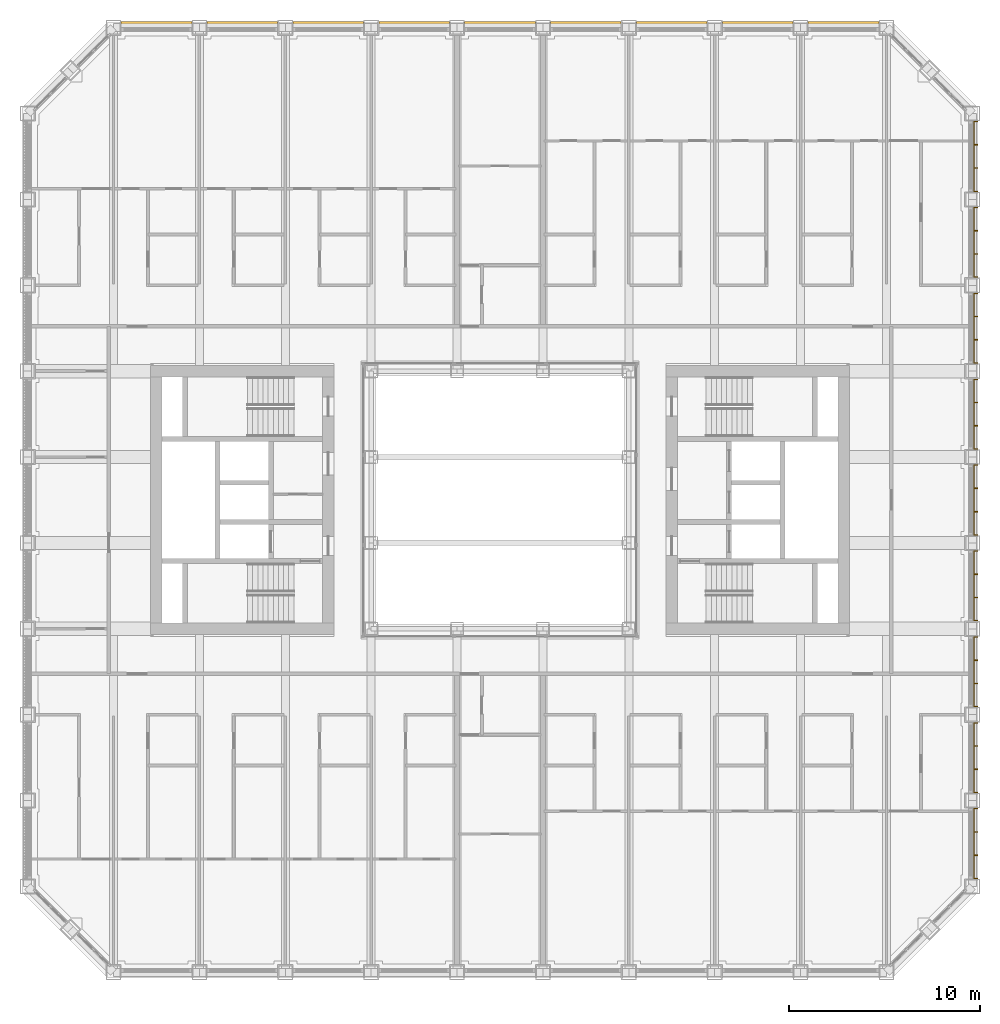
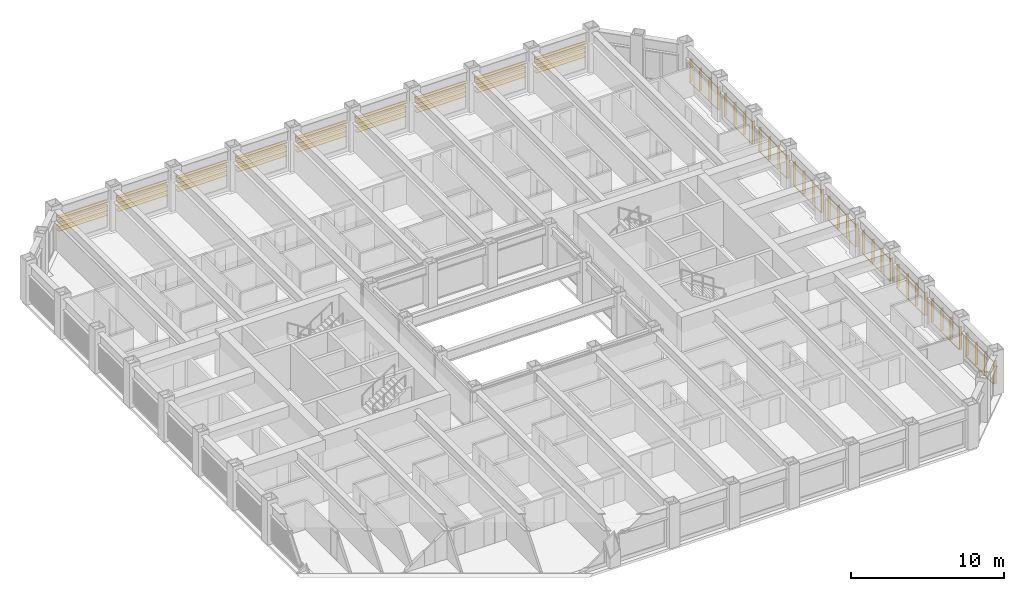
# One storey, part 21 of 21: 2 shading devices.
"""IFC4 building model written with IfcOpenShell, lengths in metres."""

from ifc_helpers import new_model, si_unit, direction, frame, origin, origin_2d, place, context, subcontext, project, spatial, rectangle, extrude, material, type_object, element, save


model = new_model("IFC4")

# Units and contexts
model_context = context("Model", 3, precision=1e-05, world=origin(), true_north=direction((0.0, 1.0)))
body_context = subcontext(model_context, "Body", "Model", "MODEL_VIEW")
ifc_project = project(units=[si_unit("LENGTHUNIT", "METRE"), si_unit("AREAUNIT", "SQUARE_METRE"), si_unit("VOLUMEUNIT", "CUBIC_METRE"), si_unit("PLANEANGLEUNIT", "RADIAN"), si_unit("MASSUNIT", "GRAM", prefix="KILO")], contexts=[model_context])

# Site, building, storey
site_placement = place(None, origin())
site = spatial("IfcSite", under=ifc_project, at=site_placement, CompositionType="ELEMENT")
building_placement = place(site_placement, origin())
building = spatial("IfcBuilding", under=site, at=building_placement, Name="Msasa Ring Tower", CompositionType="ELEMENT")
storey_placement = place(building_placement, frame((0.0, 0.0, 103.5)))
storey = spatial("IfcBuildingStorey", under=building, at=storey_placement, Name="L27", CompositionType="ELEMENT", Elevation=103.5)

# Shading devices
ifc_material_1 = material(Name="Extruded terracotta on aluminium carriers", Category="masonry")
shading_device_type_1 = type_object("IfcShadingDeviceType", Name="BS2 TERRACOTTA FIN SCREEN 40x200 AT 1350", PredefinedType="USERDEFINED", material=ifc_material_1)
shading_device_1_placement = place(storey_placement, origin())
element("IfcShadingDevice", 1, at=shading_device_1_placement, inside=storey, type_object=shading_device_type_1, Name="Terracotta fin screen E L27", ObjectType="BAGUETTE", PredefinedType="USERDEFINED", context=body_context, shape_type="SweptSolid", body=[
    extrude(rectangle(XDim=0.06005859375, YDim=0.0400390625, at=origin_2d()), frame((24.830078125, -19.85009765625, 0.330078125), z_axis=(0.0, 1.0, 0.0), x_axis=(0.0, 0.0, 1.0)), (0.0, 0.0, 1.0), 3.699951171875),
    extrude(rectangle(XDim=0.06005859375, YDim=0.0400390625, at=origin_2d()), frame((24.830078125, -19.85009765625, 2.09912109375), z_axis=(0.0, 1.0, 0.0), x_axis=(0.0, 0.0, 1.0)), (0.0, 0.0, 1.0), 3.699951171875),
    extrude(rectangle(XDim=0.0400390625, YDim=0.199951171875, at=origin_2d()), frame((24.945068359375, -19.830078125, 0.300048828125), z_axis=(0.0, 0.0, 1.0), x_axis=(0.0, 1.0, 0.0)), (0.0, 0.0, 1.0), 1.828857421875),
    extrude(rectangle(XDim=0.0400390625, YDim=0.199951171875, at=origin_2d()), frame((24.945068359375, -18.610107421875, 0.300048828125), z_axis=(0.0, 0.0, 1.0), x_axis=(0.0, 1.0, 0.0)), (0.0, 0.0, 1.0), 1.828857421875),
    extrude(rectangle(XDim=0.0400390625, YDim=0.199951171875, at=origin_2d()), frame((24.945068359375, -17.389892578125, 0.300048828125), z_axis=(0.0, 0.0, 1.0), x_axis=(0.0, 1.0, 0.0)), (0.0, 0.0, 1.0), 1.828857421875),
    extrude(rectangle(XDim=0.0400390625, YDim=0.199951171875, at=origin_2d()), frame((24.945068359375, -16.169921875, 0.300048828125), z_axis=(0.0, 0.0, 1.0), x_axis=(0.0, 1.0, 0.0)), (0.0, 0.0, 1.0), 1.828857421875),
    extrude(rectangle(XDim=0.06005859375, YDim=0.0400390625, at=origin_2d()), frame((24.830078125, -15.35009765625, 0.330078125), z_axis=(0.0, 1.0, 0.0), x_axis=(0.0, 0.0, 1.0)), (0.0, 0.0, 1.0), 3.699951171875),
    extrude(rectangle(XDim=0.06005859375, YDim=0.0400390625, at=origin_2d()), frame((24.830078125, -15.35009765625, 2.09912109375), z_axis=(0.0, 1.0, 0.0), x_axis=(0.0, 0.0, 1.0)), (0.0, 0.0, 1.0), 3.699951171875),
    extrude(rectangle(XDim=0.0400390625, YDim=0.199951171875, at=origin_2d()), frame((24.945068359375, -15.330078125, 0.300048828125), z_axis=(0.0, 0.0, 1.0), x_axis=(0.0, 1.0, 0.0)), (0.0, 0.0, 1.0), 1.828857421875),
    extrude(rectangle(XDim=0.0400390625, YDim=0.199951171875, at=origin_2d()), frame((24.945068359375, -14.110107421875, 0.300048828125), z_axis=(0.0, 0.0, 1.0), x_axis=(0.0, 1.0, 0.0)), (0.0, 0.0, 1.0), 1.828857421875),
    extrude(rectangle(XDim=0.0400390625, YDim=0.199951171875, at=origin_2d()), frame((24.945068359375, -12.889892578125, 0.300048828125), z_axis=(0.0, 0.0, 1.0), x_axis=(0.0, 1.0, 0.0)), (0.0, 0.0, 1.0), 1.828857421875),
    extrude(rectangle(XDim=0.0400390625, YDim=0.199951171875, at=origin_2d()), frame((24.945068359375, -11.669921875, 0.300048828125), z_axis=(0.0, 0.0, 1.0), x_axis=(0.0, 1.0, 0.0)), (0.0, 0.0, 1.0), 1.828857421875),
    extrude(rectangle(XDim=0.06005859375, YDim=0.0400390625, at=origin_2d()), frame((24.830078125, -10.85009765625, 0.330078125), z_axis=(0.0, 1.0, 0.0), x_axis=(0.0, 0.0, 1.0)), (0.0, 0.0, 1.0), 3.699951171875),
    extrude(rectangle(XDim=0.06005859375, YDim=0.0400390625, at=origin_2d()), frame((24.830078125, -10.85009765625, 2.09912109375), z_axis=(0.0, 1.0, 0.0), x_axis=(0.0, 0.0, 1.0)), (0.0, 0.0, 1.0), 3.699951171875),
    extrude(rectangle(XDim=0.0400390625, YDim=0.199951171875, at=origin_2d()), frame((24.945068359375, -10.830078125, 0.300048828125), z_axis=(0.0, 0.0, 1.0), x_axis=(0.0, 1.0, 0.0)), (0.0, 0.0, 1.0), 1.828857421875),
    extrude(rectangle(XDim=0.0400390625, YDim=0.199951171875, at=origin_2d()), frame((24.945068359375, -9.610107421875, 0.300048828125), z_axis=(0.0, 0.0, 1.0), x_axis=(0.0, 1.0, 0.0)), (0.0, 0.0, 1.0), 1.828857421875),
    extrude(rectangle(XDim=0.0400390625, YDim=0.199951171875, at=origin_2d()), frame((24.945068359375, -8.389892578125, 0.300048828125), z_axis=(0.0, 0.0, 1.0), x_axis=(0.0, 1.0, 0.0)), (0.0, 0.0, 1.0), 1.828857421875),
    extrude(rectangle(XDim=0.0400390625, YDim=0.199951171875, at=origin_2d()), frame((24.945068359375, -7.169921875, 0.300048828125), z_axis=(0.0, 0.0, 1.0), x_axis=(0.0, 1.0, 0.0)), (0.0, 0.0, 1.0), 1.828857421875),
    extrude(rectangle(XDim=0.06005859375, YDim=0.0400390625, at=origin_2d()), frame((24.830078125, -6.35009765625, 0.330078125), z_axis=(0.0, 1.0, 0.0), x_axis=(0.0, 0.0, 1.0)), (0.0, 0.0, 1.0), 3.699951171875),
    extrude(rectangle(XDim=0.06005859375, YDim=0.0400390625, at=origin_2d()), frame((24.830078125, -6.35009765625, 2.09912109375), z_axis=(0.0, 1.0, 0.0), x_axis=(0.0, 0.0, 1.0)), (0.0, 0.0, 1.0), 3.699951171875),
    extrude(rectangle(XDim=0.0400390625, YDim=0.199951171875, at=origin_2d()), frame((24.945068359375, -6.330078125, 0.300048828125), z_axis=(0.0, 0.0, 1.0), x_axis=(0.0, 1.0, 0.0)), (0.0, 0.0, 1.0), 1.828857421875),
    extrude(rectangle(XDim=0.0400390625, YDim=0.199951171875, at=origin_2d()), frame((24.945068359375, -5.110107421875, 0.300048828125), z_axis=(0.0, 0.0, 1.0), x_axis=(0.0, 1.0, 0.0)), (0.0, 0.0, 1.0), 1.828857421875),
    extrude(rectangle(XDim=0.0400390625, YDim=0.199951171875, at=origin_2d()), frame((24.945068359375, -3.889892578125, 0.300048828125), z_axis=(0.0, 0.0, 1.0), x_axis=(0.0, 1.0, 0.0)), (0.0, 0.0, 1.0), 1.828857421875),
    extrude(rectangle(XDim=0.0400390625, YDim=0.199951171875, at=origin_2d()), frame((24.945068359375, -2.669921875, 0.300048828125), z_axis=(0.0, 0.0, 1.0), x_axis=(0.0, 1.0, 0.0)), (0.0, 0.0, 1.0), 1.828857421875),
    extrude(rectangle(XDim=0.06005859375, YDim=0.0400390625, at=origin_2d()), frame((24.830078125, -1.85009765625, 0.330078125), z_axis=(0.0, 1.0, 0.0), x_axis=(0.0, 0.0, 1.0)), (0.0, 0.0, 1.0), 3.699951171875),
    extrude(rectangle(XDim=0.06005859375, YDim=0.0400390625, at=origin_2d()), frame((24.830078125, -1.85009765625, 2.09912109375), z_axis=(0.0, 1.0, 0.0), x_axis=(0.0, 0.0, 1.0)), (0.0, 0.0, 1.0), 3.699951171875),
    extrude(rectangle(XDim=0.0400390625, YDim=0.199951171875, at=origin_2d()), frame((24.945068359375, -1.830078125, 0.300048828125), z_axis=(0.0, 0.0, 1.0), x_axis=(0.0, 1.0, 0.0)), (0.0, 0.0, 1.0), 1.828857421875),
    extrude(rectangle(XDim=0.0400390625, YDim=0.199951171875, at=origin_2d()), frame((24.945068359375, -0.610107421875, 0.300048828125), z_axis=(0.0, 0.0, 1.0), x_axis=(0.0, 1.0, 0.0)), (0.0, 0.0, 1.0), 1.828857421875),
    extrude(rectangle(XDim=0.0400390625, YDim=0.199951171875, at=origin_2d()), frame((24.945068359375, 0.610107421875, 0.300048828125), z_axis=(0.0, 0.0, 1.0), x_axis=(0.0, 1.0, 0.0)), (0.0, 0.0, 1.0), 1.828857421875),
    extrude(rectangle(XDim=0.0400390625, YDim=0.199951171875, at=origin_2d()), frame((24.945068359375, 1.830078125, 0.300048828125), z_axis=(0.0, 0.0, 1.0), x_axis=(0.0, 1.0, 0.0)), (0.0, 0.0, 1.0), 1.828857421875),
    extrude(rectangle(XDim=0.06005859375, YDim=0.0400390625, at=origin_2d()), frame((24.830078125, 2.64990234375, 0.330078125), z_axis=(0.0, 1.0, 0.0), x_axis=(0.0, 0.0, 1.0)), (0.0, 0.0, 1.0), 3.699951171875),
    extrude(rectangle(XDim=0.06005859375, YDim=0.0400390625, at=origin_2d()), frame((24.830078125, 2.64990234375, 2.09912109375), z_axis=(0.0, 1.0, 0.0), x_axis=(0.0, 0.0, 1.0)), (0.0, 0.0, 1.0), 3.699951171875),
    extrude(rectangle(XDim=0.0400390625, YDim=0.199951171875, at=origin_2d()), frame((24.945068359375, 2.669921875, 0.300048828125), z_axis=(0.0, 0.0, 1.0), x_axis=(0.0, 1.0, 0.0)), (0.0, 0.0, 1.0), 1.828857421875),
    extrude(rectangle(XDim=0.0400390625, YDim=0.199951171875, at=origin_2d()), frame((24.945068359375, 3.889892578125, 0.300048828125), z_axis=(0.0, 0.0, 1.0), x_axis=(0.0, 1.0, 0.0)), (0.0, 0.0, 1.0), 1.828857421875),
    extrude(rectangle(XDim=0.0400390625, YDim=0.199951171875, at=origin_2d()), frame((24.945068359375, 5.110107421875, 0.300048828125), z_axis=(0.0, 0.0, 1.0), x_axis=(0.0, 1.0, 0.0)), (0.0, 0.0, 1.0), 1.828857421875),
    extrude(rectangle(XDim=0.0400390625, YDim=0.199951171875, at=origin_2d()), frame((24.945068359375, 6.330078125, 0.300048828125), z_axis=(0.0, 0.0, 1.0), x_axis=(0.0, 1.0, 0.0)), (0.0, 0.0, 1.0), 1.828857421875),
    extrude(rectangle(XDim=0.06005859375, YDim=0.0400390625, at=origin_2d()), frame((24.830078125, 7.14990234375, 0.330078125), z_axis=(0.0, 1.0, 0.0), x_axis=(0.0, 0.0, 1.0)), (0.0, 0.0, 1.0), 3.699951171875),
    extrude(rectangle(XDim=0.06005859375, YDim=0.0400390625, at=origin_2d()), frame((24.830078125, 7.14990234375, 2.09912109375), z_axis=(0.0, 1.0, 0.0), x_axis=(0.0, 0.0, 1.0)), (0.0, 0.0, 1.0), 3.699951171875),
    extrude(rectangle(XDim=0.0400390625, YDim=0.199951171875, at=origin_2d()), frame((24.945068359375, 7.169921875, 0.300048828125), z_axis=(0.0, 0.0, 1.0), x_axis=(0.0, 1.0, 0.0)), (0.0, 0.0, 1.0), 1.828857421875),
    extrude(rectangle(XDim=0.0400390625, YDim=0.199951171875, at=origin_2d()), frame((24.945068359375, 8.389892578125, 0.300048828125), z_axis=(0.0, 0.0, 1.0), x_axis=(0.0, 1.0, 0.0)), (0.0, 0.0, 1.0), 1.828857421875),
    extrude(rectangle(XDim=0.0400390625, YDim=0.199951171875, at=origin_2d()), frame((24.945068359375, 9.610107421875, 0.300048828125), z_axis=(0.0, 0.0, 1.0), x_axis=(0.0, 1.0, 0.0)), (0.0, 0.0, 1.0), 1.828857421875),
    extrude(rectangle(XDim=0.0400390625, YDim=0.199951171875, at=origin_2d()), frame((24.945068359375, 10.830078125, 0.300048828125), z_axis=(0.0, 0.0, 1.0), x_axis=(0.0, 1.0, 0.0)), (0.0, 0.0, 1.0), 1.828857421875),
    extrude(rectangle(XDim=0.06005859375, YDim=0.0400390625, at=origin_2d()), frame((24.830078125, 11.64990234375, 0.330078125), z_axis=(0.0, 1.0, 0.0), x_axis=(0.0, 0.0, 1.0)), (0.0, 0.0, 1.0), 3.699951171875),
    extrude(rectangle(XDim=0.06005859375, YDim=0.0400390625, at=origin_2d()), frame((24.830078125, 11.64990234375, 2.09912109375), z_axis=(0.0, 1.0, 0.0), x_axis=(0.0, 0.0, 1.0)), (0.0, 0.0, 1.0), 3.699951171875),
    extrude(rectangle(XDim=0.0400390625, YDim=0.199951171875, at=origin_2d()), frame((24.945068359375, 11.669921875, 0.300048828125), z_axis=(0.0, 0.0, 1.0), x_axis=(0.0, 1.0, 0.0)), (0.0, 0.0, 1.0), 1.828857421875),
    extrude(rectangle(XDim=0.0400390625, YDim=0.199951171875, at=origin_2d()), frame((24.945068359375, 12.889892578125, 0.300048828125), z_axis=(0.0, 0.0, 1.0), x_axis=(0.0, 1.0, 0.0)), (0.0, 0.0, 1.0), 1.828857421875),
    extrude(rectangle(XDim=0.0400390625, YDim=0.199951171875, at=origin_2d()), frame((24.945068359375, 14.110107421875, 0.300048828125), z_axis=(0.0, 0.0, 1.0), x_axis=(0.0, 1.0, 0.0)), (0.0, 0.0, 1.0), 1.828857421875),
    extrude(rectangle(XDim=0.0400390625, YDim=0.199951171875, at=origin_2d()), frame((24.945068359375, 15.330078125, 0.300048828125), z_axis=(0.0, 0.0, 1.0), x_axis=(0.0, 1.0, 0.0)), (0.0, 0.0, 1.0), 1.828857421875),
    extrude(rectangle(XDim=0.06005859375, YDim=0.0400390625, at=origin_2d()), frame((24.830078125, 16.14990234375, 0.330078125), z_axis=(0.0, 1.0, 0.0), x_axis=(0.0, 0.0, 1.0)), (0.0, 0.0, 1.0), 3.699951171875),
    extrude(rectangle(XDim=0.06005859375, YDim=0.0400390625, at=origin_2d()), frame((24.830078125, 16.14990234375, 2.09912109375), z_axis=(0.0, 1.0, 0.0), x_axis=(0.0, 0.0, 1.0)), (0.0, 0.0, 1.0), 3.699951171875),
    extrude(rectangle(XDim=0.0400390625, YDim=0.199951171875, at=origin_2d()), frame((24.945068359375, 16.169921875, 0.300048828125), z_axis=(0.0, 0.0, 1.0), x_axis=(0.0, 1.0, 0.0)), (0.0, 0.0, 1.0), 1.828857421875),
    extrude(rectangle(XDim=0.0400390625, YDim=0.199951171875, at=origin_2d()), frame((24.945068359375, 17.389892578125, 0.300048828125), z_axis=(0.0, 0.0, 1.0), x_axis=(0.0, 1.0, 0.0)), (0.0, 0.0, 1.0), 1.828857421875),
    extrude(rectangle(XDim=0.0400390625, YDim=0.199951171875, at=origin_2d()), frame((24.945068359375, 18.610107421875, 0.300048828125), z_axis=(0.0, 0.0, 1.0), x_axis=(0.0, 1.0, 0.0)), (0.0, 0.0, 1.0), 1.828857421875),
    extrude(rectangle(XDim=0.0400390625, YDim=0.199951171875, at=origin_2d()), frame((24.945068359375, 19.830078125, 0.300048828125), z_axis=(0.0, 0.0, 1.0), x_axis=(0.0, 1.0, 0.0)), (0.0, 0.0, 1.0), 1.828857421875),
])
ifc_material_2 = material(Name="Extruded terracotta blades", Category="masonry")
shading_device_type_2 = type_object("IfcShadingDeviceType", Name="SS1 TERRACOTTA SUNSHADE 4 BLADES 300x40 AT 350", PredefinedType="USERDEFINED", material=ifc_material_2)
shading_device_2_placement = place(storey_placement, origin())
element("IfcShadingDevice", 2, at=shading_device_2_placement, inside=storey, type_object=shading_device_type_2, Name="Terracotta sunshade N L27", ObjectType="SUNSHADE", PredefinedType="USERDEFINED", context=body_context, shape_type="SweptSolid", body=[
    extrude(rectangle(XDim=0.0400390625, YDim=0.300048828125, at=origin_2d()), frame((-19.85009765625, 24.929931640625, 2.10888671875), z_axis=(1.0, 0.0, 0.0), x_axis=(0.0, 0.0, 1.0)), (0.0, 0.0, 1.0), 3.699951171875),
    extrude(rectangle(XDim=0.0400390625, YDim=0.300048828125, at=origin_2d()), frame((-19.85009765625, 24.929931640625, 1.759033203125), z_axis=(1.0, 0.0, 0.0), x_axis=(0.0, 0.0, 1.0)), (0.0, 0.0, 1.0), 3.699951171875),
    extrude(rectangle(XDim=0.0400390625, YDim=0.300048828125, at=origin_2d()), frame((-19.85009765625, 24.929931640625, 1.408935546875), z_axis=(1.0, 0.0, 0.0), x_axis=(0.0, 0.0, 1.0)), (0.0, 0.0, 1.0), 3.699951171875),
    extrude(rectangle(XDim=0.0400390625, YDim=0.300048828125, at=origin_2d()), frame((-19.85009765625, 24.929931640625, 1.05908203125), z_axis=(1.0, 0.0, 0.0), x_axis=(0.0, 0.0, 1.0)), (0.0, 0.0, 1.0), 3.699951171875),
    extrude(rectangle(XDim=0.0400390625, YDim=0.300048828125, at=origin_2d()), frame((-15.35009765625, 24.929931640625, 2.10888671875), z_axis=(1.0, 0.0, 0.0), x_axis=(0.0, 0.0, 1.0)), (0.0, 0.0, 1.0), 3.699951171875),
    extrude(rectangle(XDim=0.0400390625, YDim=0.300048828125, at=origin_2d()), frame((-15.35009765625, 24.929931640625, 1.759033203125), z_axis=(1.0, 0.0, 0.0), x_axis=(0.0, 0.0, 1.0)), (0.0, 0.0, 1.0), 3.699951171875),
    extrude(rectangle(XDim=0.0400390625, YDim=0.300048828125, at=origin_2d()), frame((-15.35009765625, 24.929931640625, 1.408935546875), z_axis=(1.0, 0.0, 0.0), x_axis=(0.0, 0.0, 1.0)), (0.0, 0.0, 1.0), 3.699951171875),
    extrude(rectangle(XDim=0.0400390625, YDim=0.300048828125, at=origin_2d()), frame((-15.35009765625, 24.929931640625, 1.05908203125), z_axis=(1.0, 0.0, 0.0), x_axis=(0.0, 0.0, 1.0)), (0.0, 0.0, 1.0), 3.699951171875),
    extrude(rectangle(XDim=0.0400390625, YDim=0.300048828125, at=origin_2d()), frame((-10.85009765625, 24.929931640625, 2.10888671875), z_axis=(1.0, 0.0, 0.0), x_axis=(0.0, 0.0, 1.0)), (0.0, 0.0, 1.0), 3.699951171875),
    extrude(rectangle(XDim=0.0400390625, YDim=0.300048828125, at=origin_2d()), frame((-10.85009765625, 24.929931640625, 1.759033203125), z_axis=(1.0, 0.0, 0.0), x_axis=(0.0, 0.0, 1.0)), (0.0, 0.0, 1.0), 3.699951171875),
    extrude(rectangle(XDim=0.0400390625, YDim=0.300048828125, at=origin_2d()), frame((-10.85009765625, 24.929931640625, 1.408935546875), z_axis=(1.0, 0.0, 0.0), x_axis=(0.0, 0.0, 1.0)), (0.0, 0.0, 1.0), 3.699951171875),
    extrude(rectangle(XDim=0.0400390625, YDim=0.300048828125, at=origin_2d()), frame((-10.85009765625, 24.929931640625, 1.05908203125), z_axis=(1.0, 0.0, 0.0), x_axis=(0.0, 0.0, 1.0)), (0.0, 0.0, 1.0), 3.699951171875),
    extrude(rectangle(XDim=0.0400390625, YDim=0.300048828125, at=origin_2d()), frame((-6.35009765625, 24.929931640625, 2.10888671875), z_axis=(1.0, 0.0, 0.0), x_axis=(0.0, 0.0, 1.0)), (0.0, 0.0, 1.0), 3.699951171875),
    extrude(rectangle(XDim=0.0400390625, YDim=0.300048828125, at=origin_2d()), frame((-6.35009765625, 24.929931640625, 1.759033203125), z_axis=(1.0, 0.0, 0.0), x_axis=(0.0, 0.0, 1.0)), (0.0, 0.0, 1.0), 3.699951171875),
    extrude(rectangle(XDim=0.0400390625, YDim=0.300048828125, at=origin_2d()), frame((-6.35009765625, 24.929931640625, 1.408935546875), z_axis=(1.0, 0.0, 0.0), x_axis=(0.0, 0.0, 1.0)), (0.0, 0.0, 1.0), 3.699951171875),
    extrude(rectangle(XDim=0.0400390625, YDim=0.300048828125, at=origin_2d()), frame((-6.35009765625, 24.929931640625, 1.05908203125), z_axis=(1.0, 0.0, 0.0), x_axis=(0.0, 0.0, 1.0)), (0.0, 0.0, 1.0), 3.699951171875),
    extrude(rectangle(XDim=0.0400390625, YDim=0.300048828125, at=origin_2d()), frame((-1.85009765625, 24.929931640625, 2.10888671875), z_axis=(1.0, 0.0, 0.0), x_axis=(0.0, 0.0, 1.0)), (0.0, 0.0, 1.0), 3.699951171875),
    extrude(rectangle(XDim=0.0400390625, YDim=0.300048828125, at=origin_2d()), frame((-1.85009765625, 24.929931640625, 1.759033203125), z_axis=(1.0, 0.0, 0.0), x_axis=(0.0, 0.0, 1.0)), (0.0, 0.0, 1.0), 3.699951171875),
    extrude(rectangle(XDim=0.0400390625, YDim=0.300048828125, at=origin_2d()), frame((-1.85009765625, 24.929931640625, 1.408935546875), z_axis=(1.0, 0.0, 0.0), x_axis=(0.0, 0.0, 1.0)), (0.0, 0.0, 1.0), 3.699951171875),
    extrude(rectangle(XDim=0.0400390625, YDim=0.300048828125, at=origin_2d()), frame((-1.85009765625, 24.929931640625, 1.05908203125), z_axis=(1.0, 0.0, 0.0), x_axis=(0.0, 0.0, 1.0)), (0.0, 0.0, 1.0), 3.699951171875),
    extrude(rectangle(XDim=0.0400390625, YDim=0.300048828125, at=origin_2d()), frame((2.64990234375, 24.929931640625, 2.10888671875), z_axis=(1.0, 0.0, 0.0), x_axis=(0.0, 0.0, 1.0)), (0.0, 0.0, 1.0), 3.699951171875),
    extrude(rectangle(XDim=0.0400390625, YDim=0.300048828125, at=origin_2d()), frame((2.64990234375, 24.929931640625, 1.759033203125), z_axis=(1.0, 0.0, 0.0), x_axis=(0.0, 0.0, 1.0)), (0.0, 0.0, 1.0), 3.699951171875),
    extrude(rectangle(XDim=0.0400390625, YDim=0.300048828125, at=origin_2d()), frame((2.64990234375, 24.929931640625, 1.408935546875), z_axis=(1.0, 0.0, 0.0), x_axis=(0.0, 0.0, 1.0)), (0.0, 0.0, 1.0), 3.699951171875),
    extrude(rectangle(XDim=0.0400390625, YDim=0.300048828125, at=origin_2d()), frame((2.64990234375, 24.929931640625, 1.05908203125), z_axis=(1.0, 0.0, 0.0), x_axis=(0.0, 0.0, 1.0)), (0.0, 0.0, 1.0), 3.699951171875),
    extrude(rectangle(XDim=0.0400390625, YDim=0.300048828125, at=origin_2d()), frame((7.14990234375, 24.929931640625, 2.10888671875), z_axis=(1.0, 0.0, 0.0), x_axis=(0.0, 0.0, 1.0)), (0.0, 0.0, 1.0), 3.699951171875),
    extrude(rectangle(XDim=0.0400390625, YDim=0.300048828125, at=origin_2d()), frame((7.14990234375, 24.929931640625, 1.759033203125), z_axis=(1.0, 0.0, 0.0), x_axis=(0.0, 0.0, 1.0)), (0.0, 0.0, 1.0), 3.699951171875),
    extrude(rectangle(XDim=0.0400390625, YDim=0.300048828125, at=origin_2d()), frame((7.14990234375, 24.929931640625, 1.408935546875), z_axis=(1.0, 0.0, 0.0), x_axis=(0.0, 0.0, 1.0)), (0.0, 0.0, 1.0), 3.699951171875),
    extrude(rectangle(XDim=0.0400390625, YDim=0.300048828125, at=origin_2d()), frame((7.14990234375, 24.929931640625, 1.05908203125), z_axis=(1.0, 0.0, 0.0), x_axis=(0.0, 0.0, 1.0)), (0.0, 0.0, 1.0), 3.699951171875),
    extrude(rectangle(XDim=0.0400390625, YDim=0.300048828125, at=origin_2d()), frame((11.64990234375, 24.929931640625, 2.10888671875), z_axis=(1.0, 0.0, 0.0), x_axis=(0.0, 0.0, 1.0)), (0.0, 0.0, 1.0), 3.699951171875),
    extrude(rectangle(XDim=0.0400390625, YDim=0.300048828125, at=origin_2d()), frame((11.64990234375, 24.929931640625, 1.759033203125), z_axis=(1.0, 0.0, 0.0), x_axis=(0.0, 0.0, 1.0)), (0.0, 0.0, 1.0), 3.699951171875),
    extrude(rectangle(XDim=0.0400390625, YDim=0.300048828125, at=origin_2d()), frame((11.64990234375, 24.929931640625, 1.408935546875), z_axis=(1.0, 0.0, 0.0), x_axis=(0.0, 0.0, 1.0)), (0.0, 0.0, 1.0), 3.699951171875),
    extrude(rectangle(XDim=0.0400390625, YDim=0.300048828125, at=origin_2d()), frame((11.64990234375, 24.929931640625, 1.05908203125), z_axis=(1.0, 0.0, 0.0), x_axis=(0.0, 0.0, 1.0)), (0.0, 0.0, 1.0), 3.699951171875),
    extrude(rectangle(XDim=0.0400390625, YDim=0.300048828125, at=origin_2d()), frame((16.14990234375, 24.929931640625, 2.10888671875), z_axis=(1.0, 0.0, 0.0), x_axis=(0.0, 0.0, 1.0)), (0.0, 0.0, 1.0), 3.699951171875),
    extrude(rectangle(XDim=0.0400390625, YDim=0.300048828125, at=origin_2d()), frame((16.14990234375, 24.929931640625, 1.759033203125), z_axis=(1.0, 0.0, 0.0), x_axis=(0.0, 0.0, 1.0)), (0.0, 0.0, 1.0), 3.699951171875),
    extrude(rectangle(XDim=0.0400390625, YDim=0.300048828125, at=origin_2d()), frame((16.14990234375, 24.929931640625, 1.408935546875), z_axis=(1.0, 0.0, 0.0), x_axis=(0.0, 0.0, 1.0)), (0.0, 0.0, 1.0), 3.699951171875),
    extrude(rectangle(XDim=0.0400390625, YDim=0.300048828125, at=origin_2d()), frame((16.14990234375, 24.929931640625, 1.05908203125), z_axis=(1.0, 0.0, 0.0), x_axis=(0.0, 0.0, 1.0)), (0.0, 0.0, 1.0), 3.699951171875),
])

save(model, "model.ifc")
